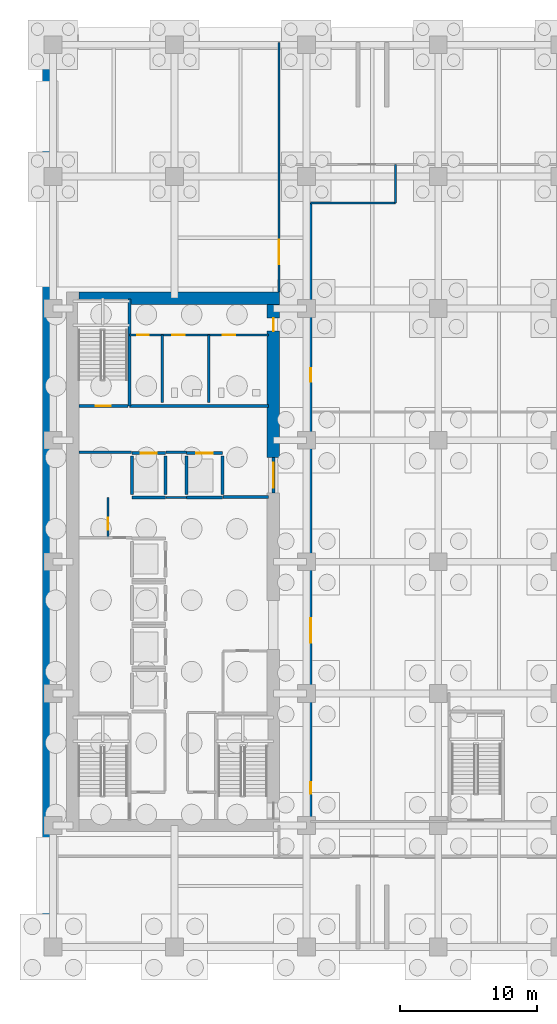
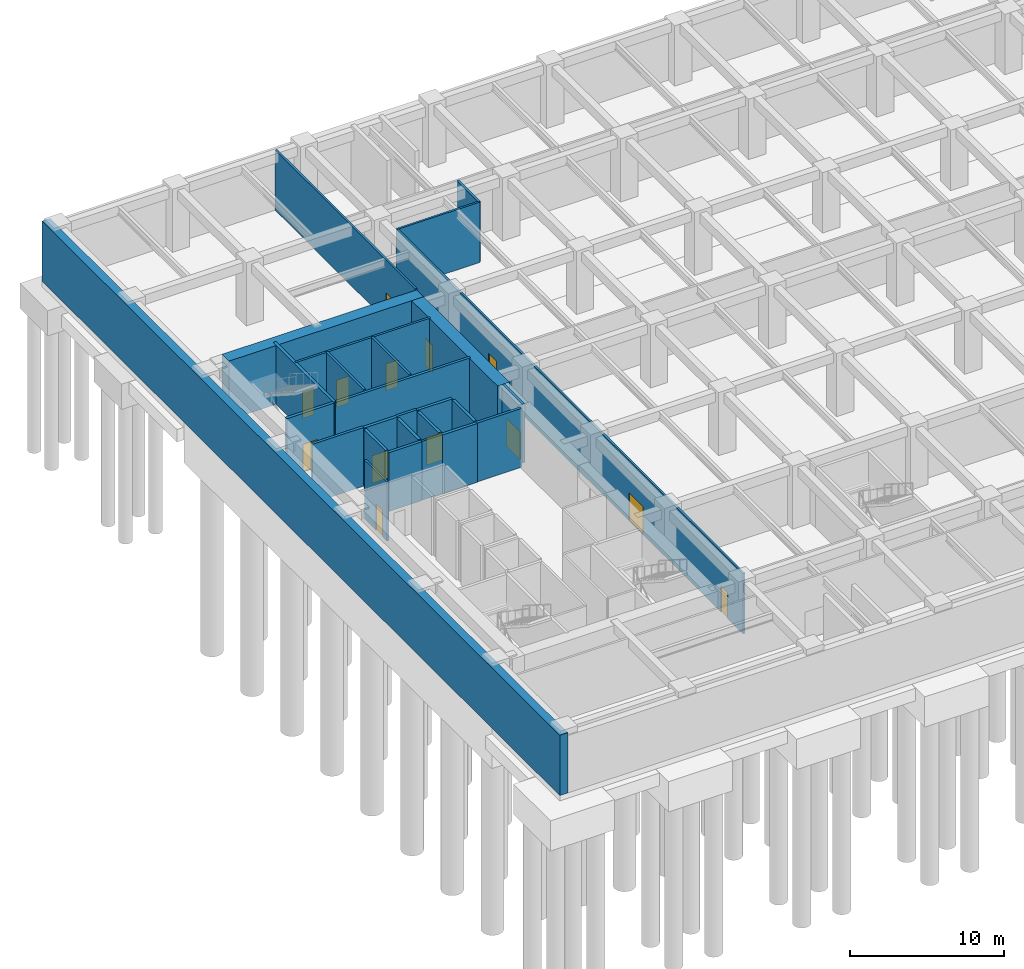
# One storey, part 11 of 20: 27 walls, 13 doors, 13 openings.
"""IFC4 building model written with IfcOpenShell, lengths in metres."""

from ifc_helpers import new_model, si_unit, direction, frame, frame_2d, origin, place, context, subcontext, project, spatial, rectangle, extrude, material, layer, layer_set, type_object, element, fill, save


model = new_model("IFC4")

# Units and contexts
model_context = context("Model", 3, precision=1e-05, world=origin(), true_north=direction((0.0, 1.0)))
body_context = subcontext(model_context, "Body", "Model", "MODEL_VIEW")
ifc_project = project(units=[si_unit("LENGTHUNIT", "METRE"), si_unit("AREAUNIT", "SQUARE_METRE"), si_unit("VOLUMEUNIT", "CUBIC_METRE"), si_unit("PLANEANGLEUNIT", "RADIAN"), si_unit("MASSUNIT", "GRAM", prefix="KILO")], contexts=[model_context])

# Site, building, storey
site_placement = place(None, origin())
site = spatial("IfcSite", under=ifc_project, at=site_placement, CompositionType="ELEMENT")
building_placement = place(site_placement, origin())
building = spatial("IfcBuilding", under=site, at=building_placement, Name="Norrvale University Quadrangle", CompositionType="ELEMENT")
storey_placement = place(building_placement, frame((0.0, 0.0, -5.0)))
storey = spatial("IfcBuildingStorey", under=building, at=storey_placement, Name="B01", CompositionType="ELEMENT", Elevation=-5.0)

# Wall
ifc_material_1 = material(Name="Concrete C80/95", Category="concrete")
ifc_layer_1 = layer(ifc_material_1, 0.89990234375, Name="Concrete C80/95")
ifc_layer_set_1 = layer_set([ifc_layer_1], Name="Concrete C80/95")
wall_type_1 = type_object("IfcWallType", Name="Wall Core 900", PredefinedType="SHEAR", material=ifc_layer_set_1)
wall_1_placement = place(storey_placement, frame((2.64990234375, 48.0, 0.0), z_axis=(0.0, 0.0, 1.0), x_axis=(1.0, 0.0, 0.0)))
element("IfcWall", 1, at=wall_1_placement, inside=storey, type_object=wall_type_1, Name="Tower Core Shear Wall B01-N", PredefinedType="SHEAR", context=body_context, shape_type="SweptSolid", body=[
    extrude(rectangle(XDim=14.60009765625, YDim=0.89990234375, at=frame_2d((7.300048828125, 0.0))), origin(), (0.0, 0.0, 1.0), 4.659912109375),
])

# Wall, opening, door
wall_2_placement = place(storey_placement, frame((16.800048828125, 36.39990234375, 0.0), z_axis=(0.0, 0.0, 1.0), x_axis=(0.0, 1.0, 0.0)))
wall_2 = element("IfcWall", 2, at=wall_2_placement, inside=storey, type_object=wall_type_1, Name="Tower Core Shear Wall B01-E3", PredefinedType="SHEAR", context=body_context, shape_type="SweptSolid", body=[
    extrude(rectangle(XDim=11.150146484375, YDim=0.89990234375, at=frame_2d((5.5751953125, 0.0))), origin(), (0.0, 0.0, 1.0), 4.659912109375),
])
opening_1_placement = place(wall_2_placement, frame((9.199951171875, 0.0, 0.0)))
opening_1 = element("IfcOpeningElement", 3, at=opening_1_placement, cuts=wall_2, Name="Opening D07", PredefinedType="OPENING", context=body_context, shape_type="SweptSolid", body=[
    extrude(rectangle(XDim=0.949951171875, YDim=2.14990234375, at=frame_2d((0.47509765625, 1.074951171875))), frame((0.0, 0.4619140625, 0.0), z_axis=(0.0, -1.0, 0.0), x_axis=(1.0, 0.0, 0.0)), (0.0, 0.0, 1.0), 0.923828125),
])
ifc_material_2 = material(Name="Solid-Core Maple Door", Category="wood")
door_type_1 = type_object("IfcDoorType", Name="Door Office 950x2150", OperationType="NOTDEFINED", PredefinedType="DOOR", material=ifc_material_2)
door_1_placement = place(opening_1_placement, origin())
door_1 = element("IfcDoor", 4, at=door_1_placement, inside=storey, type_object=door_type_1, Name="Door Office 950x2150 DR-B01-NECORR", OperationType="SINGLE_SWING_RIGHT", OverallHeight=2.14990234375, OverallWidth=0.949951171875, PredefinedType="DOOR", context=body_context, shape_type="SweptSolid", body=[
    extrude(rectangle(XDim=0.949951171875, YDim=2.14990234375, at=frame_2d((0.47509765625, 1.074951171875))), frame((0.0, 0.02490234375, 0.0), z_axis=(0.0, -1.0, 0.0), x_axis=(1.0, 0.0, 0.0)), (0.0, 0.0, 1.0), 0.050048828125),
])
fill(opening_1, door_1)

# Wall
ifc_material_3 = material(Name="Fire-Rated Gypsum Stud Partition")
ifc_layer_2 = layer(ifc_material_3, 0.14990234375, Name="Fire-Rated Gypsum Stud Partition")
ifc_layer_set_2 = layer_set([ifc_layer_2], Name="Fire-Rated Gypsum Stud Partition")
wall_type_2 = type_object("IfcWallType", Name="Wall Gypsum Corridor 150", PredefinedType="PARTITIONING", material=ifc_layer_set_2)
wall_3_placement = place(storey_placement, frame((8.965087890625, 33.489990234375, 0.0), z_axis=(0.0, 0.0, 1.0), x_axis=(1.0, 0.0, 0.0)))
element("IfcWall", 5, at=wall_3_placement, inside=storey, type_object=wall_type_2, Name="Interior Partition WL-B01-LL3", PredefinedType="PARTITIONING", context=body_context, shape_type="SweptSolid", body=[
    extrude(rectangle(XDim=1.52001953125, YDim=0.14990234375, at=frame_2d((0.760009765625, 0.0))), origin(), (0.0, 0.0, 1.0), 4.659912109375),
])

# Wall, opening, door
wall_4_placement = place(storey_placement, frame((4.760009765625, 30.550048828125, 0.0), z_axis=(0.0, 0.0, 1.0), x_axis=(0.0, 1.0, 0.0)))
wall_4 = element("IfcWall", 6, at=wall_4_placement, inside=storey, type_object=wall_type_2, Name="Interior Partition WL-B01-WME-E", PredefinedType="PARTITIONING", context=body_context, shape_type="SweptSolid", body=[
    extrude(rectangle(XDim=2.929931640625, YDim=0.14990234375, at=frame_2d((1.46484375, 0.0))), origin(), (0.0, 0.0, 1.0), 4.659912109375),
])
opening_2_placement = place(wall_4_placement, frame((0.60009765625, 0.0, 0.0)))
opening_2 = element("IfcOpeningElement", 7, at=opening_2_placement, cuts=wall_4, Name="Opening D10", PredefinedType="OPENING", context=body_context, shape_type="SweptSolid", body=[
    extrude(rectangle(XDim=0.85009765625, YDim=2.10009765625, at=frame_2d((0.425048828125, 1.050048828125))), frame((0.0, 0.0869140625, 0.0), z_axis=(0.0, -1.0, 0.0), x_axis=(1.0, 0.0, 0.0)), (0.0, 0.0, 1.0), 0.173828125),
])
ifc_material_4 = material(Name="Hollow Steel 350W Riser Fire Door", Category="steel")
door_type_2 = type_object("IfcDoorType", Name="Door Riser 850x2100", OperationType="NOTDEFINED", PredefinedType="DOOR", material=ifc_material_4)
door_2_placement = place(opening_2_placement, origin())
door_2 = element("IfcDoor", 8, at=door_2_placement, inside=storey, type_object=door_type_2, Name="Door Riser 850x2100 DR-B01-WME", OperationType="SINGLE_SWING_LEFT", OverallHeight=2.10009765625, OverallWidth=0.85009765625, PredefinedType="DOOR", context=body_context, shape_type="SweptSolid", body=[
    extrude(rectangle(XDim=0.85009765625, YDim=2.10009765625, at=frame_2d((0.425048828125, 1.050048828125))), frame((0.0, 0.02490234375, 0.0), z_axis=(0.0, -1.0, 0.0), x_axis=(1.0, 0.0, 0.0)), (0.0, 0.0, 1.0), 0.050048828125),
])
fill(opening_2, door_2)

# Walls
wall_5_placement = place(storey_placement, frame((19.52001953125, 54.919921875, 0.0), z_axis=(0.0, 0.0, 1.0), x_axis=(1.0, 0.0, 0.0)))
element("IfcWall", 9, at=wall_5_placement, inside=storey, type_object=wall_type_2, Name="Interior Partition WL-B01-BK-NW1", PredefinedType="PARTITIONING", context=body_context, shape_type="SweptSolid", body=[
    extrude(rectangle(XDim=6.159912109375, YDim=0.14990234375, at=frame_2d((3.080078125, 0.0))), origin(), (0.0, 0.0, 1.0), 4.780029296875),
])
wall_6_placement = place(storey_placement, frame((25.679931640625, 54.919921875, 0.0), z_axis=(0.0, 0.0, 1.0), x_axis=(0.0, 1.0, 0.0)))
element("IfcWall", 10, at=wall_6_placement, inside=storey, type_object=wall_type_2, Name="Interior Partition WL-B01-BK-NW2", PredefinedType="PARTITIONING", context=body_context, shape_type="SweptSolid", body=[
    extrude(rectangle(XDim=2.800048828125, YDim=0.14990234375, at=frame_2d((1.39990234375, 0.0))), origin(), (0.0, 0.0, 1.0), 4.780029296875),
])

# Wall, openings, doors
wall_7_placement = place(storey_placement, frame((19.52001953125, 9.89990234375, 0.0), z_axis=(0.0, 0.0, 1.0), x_axis=(0.0, 1.0, 0.0)))
wall_7 = element("IfcWall", 11, at=wall_7_placement, inside=storey, type_object=wall_type_2, Name="Interior Partition WL-B01-TE-W", PredefinedType="PARTITIONING", context=body_context, shape_type="SweptSolid", body=[
    extrude(rectangle(XDim=45.02001953125, YDim=0.14990234375, at=frame_2d((22.510009765625, 0.0))), origin(), (0.0, 0.0, 1.0), 4.780029296875),
])
opening_3_placement = place(wall_7_placement, frame((2.0, 0.0, 0.0)))
opening_3 = element("IfcOpeningElement", 12, at=opening_3_placement, cuts=wall_7, Name="Opening D10", PredefinedType="OPENING", context=body_context, shape_type="SweptSolid", body=[
    extrude(rectangle(XDim=0.85009765625, YDim=2.10009765625, at=frame_2d((0.425048828125, 1.050048828125))), frame((0.0, 0.0869140625, 0.0), z_axis=(0.0, -1.0, 0.0), x_axis=(1.0, 0.0, 0.0)), (0.0, 0.0, 1.0), 0.173828125),
])
opening_4_placement = place(wall_7_placement, frame((13.0, 0.0, 0.0)))
opening_4 = element("IfcOpeningElement", 13, at=opening_4_placement, cuts=wall_7, Name="Opening D03", PredefinedType="OPENING", context=body_context, shape_type="SweptSolid", body=[
    extrude(rectangle(XDim=1.800048828125, YDim=2.199951171875, at=frame_2d((0.89990234375, 1.10009765625))), frame((0.0, 0.0869140625, 0.0), z_axis=(0.0, -1.0, 0.0), x_axis=(1.0, 0.0, 0.0)), (0.0, 0.0, 1.0), 0.173828125),
])
opening_5_placement = place(wall_7_placement, frame((32.0, 0.0, 0.0)))
opening_5 = element("IfcOpeningElement", 14, at=opening_5_placement, cuts=wall_7, Name="Opening D04", PredefinedType="OPENING", context=body_context, shape_type="SweptSolid", body=[
    extrude(rectangle(XDim=1.0, YDim=2.199951171875, at=frame_2d((0.5, 1.10009765625))), frame((0.0, 0.0869140625, 0.0), z_axis=(0.0, -1.0, 0.0), x_axis=(1.0, 0.0, 0.0)), (0.0, 0.0, 1.0), 0.173828125),
])
ifc_material_5 = material(Name="Solid-Core Oak Fire Door", Category="wood")
door_type_3 = type_object("IfcDoorType", Name="Door Corridor 1000x2200", OperationType="NOTDEFINED", PredefinedType="DOOR", material=ifc_material_5)
door_3_placement = place(opening_5_placement, origin())
door_3 = element("IfcDoor", 15, at=door_3_placement, inside=storey, type_object=door_type_3, Name="Door Corridor 1000x2200 DR-B01-BIKE", OperationType="SINGLE_SWING_LEFT", OverallHeight=2.199951171875, OverallWidth=1.0, PredefinedType="DOOR", context=body_context, shape_type="SweptSolid", body=[
    extrude(rectangle(XDim=1.0, YDim=2.199951171875, at=frame_2d((0.5, 1.10009765625))), frame((0.0, 0.02490234375, 0.0), z_axis=(0.0, -1.0, 0.0), x_axis=(1.0, 0.0, 0.0)), (0.0, 0.0, 1.0), 0.050048828125),
])
fill(opening_5, door_3)
ifc_material_6 = material(Name="Hollow Steel 350W Fire Door", Category="steel")
door_type_4 = type_object("IfcDoorType", Name="Door Fire Lobby 1800x2200", OperationType="DOUBLE_DOOR_SINGLE_SWING", PredefinedType="DOOR", material=ifc_material_6)
door_4_placement = place(opening_4_placement, origin())
door_4 = element("IfcDoor", 16, at=door_4_placement, inside=storey, type_object=door_type_4, Name="Door Fire Lobby 1800x2200 DR-B01-PARK", OperationType="DOUBLE_DOOR_SINGLE_SWING", OverallHeight=2.199951171875, OverallWidth=1.800048828125, PredefinedType="DOOR", context=body_context, shape_type="SweptSolid", body=[
    extrude(rectangle(XDim=1.800048828125, YDim=2.199951171875, at=frame_2d((0.89990234375, 1.10009765625))), frame((0.0, 0.02490234375, 0.0), z_axis=(0.0, -1.0, 0.0), x_axis=(1.0, 0.0, 0.0)), (0.0, 0.0, 1.0), 0.050048828125),
])
fill(opening_4, door_4)
door_5_placement = place(opening_3_placement, origin())
door_5 = element("IfcDoor", 17, at=door_5_placement, inside=storey, type_object=door_type_2, Name="Door Riser 850x2100 DR-B01-ARCH", OperationType="SINGLE_SWING_LEFT", OverallHeight=2.10009765625, OverallWidth=0.85009765625, PredefinedType="DOOR", context=body_context, shape_type="SweptSolid", body=[
    extrude(rectangle(XDim=0.85009765625, YDim=2.10009765625, at=frame_2d((0.425048828125, 1.050048828125))), frame((0.0, 0.02490234375, 0.0), z_axis=(0.0, -1.0, 0.0), x_axis=(1.0, 0.0, 0.0)), (0.0, 0.0, 1.0), 0.050048828125),
])
fill(opening_3, door_5)

# Wall, opening, door
wall_8_placement = place(storey_placement, frame((17.199951171875, 48.449951171875, 0.0), z_axis=(0.0, 0.0, 1.0), x_axis=(0.0, 1.0, 0.0)))
wall_8 = element("IfcWall", 18, at=wall_8_placement, inside=storey, type_object=wall_type_2, Name="Interior Partition WL-B01-NP-E", PredefinedType="PARTITIONING", context=body_context, shape_type="SweptSolid", body=[
    extrude(rectangle(XDim=18.150146484375, YDim=0.14990234375, at=frame_2d((9.0751953125, 0.0))), origin(), (0.0, 0.0, 1.0), 4.780029296875),
])
opening_6_placement = place(wall_8_placement, frame((2.0, 0.0, 0.0)))
opening_6 = element("IfcOpeningElement", 19, at=opening_6_placement, cuts=wall_8, Name="Opening D03", PredefinedType="OPENING", context=body_context, shape_type="SweptSolid", body=[
    extrude(rectangle(XDim=1.800048828125, YDim=2.199951171875, at=frame_2d((0.89990234375, 1.10009765625))), frame((0.0, 0.0869140625, 0.0), z_axis=(0.0, -1.0, 0.0), x_axis=(1.0, 0.0, 0.0)), (0.0, 0.0, 1.0), 0.173828125),
])
door_6_placement = place(opening_6_placement, origin())
door_6 = element("IfcDoor", 20, at=door_6_placement, inside=storey, type_object=door_type_4, Name="Door Fire Lobby 1800x2200 DR-B01-NPMP", OperationType="DOUBLE_DOOR_SINGLE_SWING", OverallHeight=2.199951171875, OverallWidth=1.800048828125, PredefinedType="DOOR", context=body_context, shape_type="SweptSolid", body=[
    extrude(rectangle(XDim=1.800048828125, YDim=2.199951171875, at=frame_2d((0.89990234375, 1.10009765625))), frame((0.0, 0.02490234375, 0.0), z_axis=(0.0, -1.0, 0.0), x_axis=(1.0, 0.0, 0.0)), (0.0, 0.0, 1.0), 0.050048828125),
])
fill(opening_6, door_6)

# Wall, openings, doors
ifc_material_7 = material(Name="Sanitary Chase Gypsum Partition")
ifc_layer_3 = layer(ifc_material_7, 0.1650390625, Name="Sanitary Chase Gypsum Partition")
ifc_layer_set_3 = layer_set([ifc_layer_3], Name="Sanitary Chase Gypsum Partition")
wall_type_3 = type_object("IfcWallType", Name="Wall Gypsum Sanitary 165", PredefinedType="PLUMBINGWALL", material=ifc_layer_set_3)
wall_9_placement = place(storey_placement, frame((6.320068359375, 45.320068359375, 0.0), z_axis=(0.0, 0.0, 1.0), x_axis=(1.0, 0.0, 0.0)))
wall_9 = element("IfcWall", 21, at=wall_9_placement, inside=storey, type_object=wall_type_3, Name="Interior Partition WL-B01-WCN", PredefinedType="PLUMBINGWALL", context=body_context, shape_type="SweptSolid", body=[
    extrude(rectangle(XDim=10.1298828125, YDim=0.1650390625, at=frame_2d((5.06494140625, 0.0))), origin(), (0.0, 0.0, 1.0), 4.659912109375),
])
opening_7_placement = place(wall_9_placement, frame((0.550048828125, 0.0, 0.0)))
opening_7 = element("IfcOpeningElement", 22, at=opening_7_placement, cuts=wall_9, Name="Opening D10", PredefinedType="OPENING", context=body_context, shape_type="SweptSolid", body=[
    extrude(rectangle(XDim=0.85009765625, YDim=2.10009765625, at=frame_2d((0.425048828125, 1.050048828125))), frame((0.0, 0.094482421875, 0.0), z_axis=(0.0, -1.0, 0.0), x_axis=(1.0, 0.0, 0.0)), (0.0, 0.0, 1.0), 0.18896484375),
])
opening_8_placement = place(wall_9_placement, frame((3.10009765625, 0.0, 0.0)))
opening_8 = element("IfcOpeningElement", 23, at=opening_8_placement, cuts=wall_9, Name="Opening D08", PredefinedType="OPENING", context=body_context, shape_type="SweptSolid", body=[
    extrude(rectangle(XDim=0.919921875, YDim=2.14990234375, at=frame_2d((0.4599609375, 1.074951171875))), frame((0.0, 0.094482421875, 0.0), z_axis=(0.0, -1.0, 0.0), x_axis=(1.0, 0.0, 0.0)), (0.0, 0.0, 1.0), 0.18896484375),
])
opening_9_placement = place(wall_9_placement, frame((6.800048828125, 0.0, 0.0)))
opening_9 = element("IfcOpeningElement", 24, at=opening_9_placement, cuts=wall_9, Name="Opening D08", PredefinedType="OPENING", context=body_context, shape_type="SweptSolid", body=[
    extrude(rectangle(XDim=0.919921875, YDim=2.14990234375, at=frame_2d((0.4599609375, 1.074951171875))), frame((0.0, 0.094482421875, 0.0), z_axis=(0.0, -1.0, 0.0), x_axis=(1.0, 0.0, 0.0)), (0.0, 0.0, 1.0), 0.18896484375),
])
door_7_placement = place(opening_7_placement, origin())
door_7 = element("IfcDoor", 25, at=door_7_placement, inside=storey, type_object=door_type_2, Name="Door Riser 850x2100 DR-B01-WC1", OperationType="SINGLE_SWING_LEFT", OverallHeight=2.10009765625, OverallWidth=0.85009765625, PredefinedType="DOOR", context=body_context, shape_type="SweptSolid", body=[
    extrude(rectangle(XDim=0.85009765625, YDim=2.10009765625, at=frame_2d((0.425048828125, 1.050048828125))), frame((0.0, 0.02490234375, 0.0), z_axis=(0.0, -1.0, 0.0), x_axis=(1.0, 0.0, 0.0)), (0.0, 0.0, 1.0), 0.050048828125),
])
fill(opening_7, door_7)
ifc_material_8 = material(Name="Laminate Washroom Door", Category="wood")
door_type_5 = type_object("IfcDoorType", Name="Door Washroom 920x2150", OperationType="NOTDEFINED", PredefinedType="DOOR", material=ifc_material_8)
door_8_placement = place(opening_8_placement, origin())
door_8 = element("IfcDoor", 26, at=door_8_placement, inside=storey, type_object=door_type_5, Name="Door Washroom 920x2150 DR-B01-WC2", OperationType="SINGLE_SWING_RIGHT", OverallHeight=2.14990234375, OverallWidth=0.919921875, PredefinedType="DOOR", context=body_context, shape_type="SweptSolid", body=[
    extrude(rectangle(XDim=0.919921875, YDim=2.14990234375, at=frame_2d((0.4599609375, 1.074951171875))), frame((0.0, 0.02490234375, 0.0), z_axis=(0.0, -1.0, 0.0), x_axis=(1.0, 0.0, 0.0)), (0.0, 0.0, 1.0), 0.050048828125),
])
fill(opening_8, door_8)
door_9_placement = place(opening_9_placement, origin())
door_9 = element("IfcDoor", 27, at=door_9_placement, inside=storey, type_object=door_type_5, Name="Door Washroom 920x2150 DR-B01-WC3", OperationType="SINGLE_SWING_LEFT", OverallHeight=2.14990234375, OverallWidth=0.919921875, PredefinedType="DOOR", context=body_context, shape_type="SweptSolid", body=[
    extrude(rectangle(XDim=0.919921875, YDim=2.14990234375, at=frame_2d((0.4599609375, 1.074951171875))), frame((0.0, 0.02490234375, 0.0), z_axis=(0.0, -1.0, 0.0), x_axis=(1.0, 0.0, 0.0)), (0.0, 0.0, 1.0), 0.050048828125),
])
fill(opening_9, door_9)

# Walls
for number, where, z_axis, x_axis, name in (
    (28, (8.699951171875, 40.39990234375, 0.0), (0.0, 0.0, 1.0), (0.0, 1.0, 0.0), "Interior Partition WL-B01-WCM1"),
    (29, (12.10009765625, 40.39990234375, 0.0), (0.0, 0.0, 1.0), (0.0, 1.0, 0.0), "Interior Partition WL-B01-WCM2"),
):
    element("IfcWall", number, at=place(storey_placement, frame(where, z_axis=z_axis, x_axis=x_axis)), inside=storey, type_object=wall_type_3, Name=name, PredefinedType="PLUMBINGWALL", context=body_context, shape_type="SweptSolid", body=[
        extrude(rectangle(XDim=4.920166015625, YDim=0.1650390625, at=frame_2d((2.4599609375, 0.0))), origin(), (0.0, 0.0, 1.0), 4.659912109375),
    ])
ifc_material_9 = material(Name="Concrete Blockwork 20 MPa Rated Wall", Category="masonry")
ifc_layer_4 = layer(ifc_material_9, 0.199951171875, Name="Concrete Blockwork 20 MPa Rated Wall")
ifc_layer_set_4 = layer_set([ifc_layer_4], Name="Concrete Blockwork 20 MPa Rated Wall")
wall_type_4 = type_object("IfcWallType", Name="Wall Lobby 200", PredefinedType="SOLIDWALL", material=ifc_layer_set_4)
wall_10_placement = place(storey_placement, frame((2.64990234375, 36.780029296875, 0.0), z_axis=(0.0, 0.0, 1.0), x_axis=(1.0, 0.0, 0.0)))
element("IfcWall", 30, at=wall_10_placement, inside=storey, type_object=wall_type_4, Name="Interior Partition WL-B01-FF1", PredefinedType="SOLIDWALL", context=body_context, shape_type="SweptSolid", body=[
    extrude(rectangle(XDim=3.830078125, YDim=0.199951171875, at=frame_2d((1.9150390625, 0.0))), origin(), (0.0, 0.0, 1.0), 4.659912109375),
])
wall_11_placement = place(storey_placement, frame((8.969970703125, 36.780029296875, 0.0), z_axis=(0.0, 0.0, 1.0), x_axis=(1.0, 0.0, 0.0)))
element("IfcWall", 31, at=wall_11_placement, inside=storey, type_object=wall_type_4, Name="Interior Partition WL-B01-FF2", PredefinedType="SOLIDWALL", context=body_context, shape_type="SweptSolid", body=[
    extrude(rectangle(XDim=1.510009765625, YDim=0.199951171875, at=frame_2d((0.7548828125, 0.0))), origin(), (0.0, 0.0, 1.0), 4.659912109375),
])
wall_12_placement = place(storey_placement, frame((13.1201171875, 33.52001953125, 0.0), z_axis=(0.0, 0.0, 1.0), x_axis=(1.0, 0.0, 0.0)))
element("IfcWall", 32, at=wall_12_placement, inside=storey, type_object=wall_type_4, Name="Interior Partition WL-B01-FF3", PredefinedType="SOLIDWALL", context=body_context, shape_type="SweptSolid", body=[
    extrude(rectangle(XDim=3.329833984375, YDim=0.199951171875, at=frame_2d((1.6650390625, 0.0))), origin(), (0.0, 0.0, 1.0), 4.659912109375),
])
wall_13_placement = place(storey_placement, frame((6.320068359375, 40.139892578125, 0.0), z_axis=(0.0, 0.0, 1.0), x_axis=(1.0, 0.0, 0.0)))
element("IfcWall", 33, at=wall_13_placement, inside=storey, type_object=wall_type_4, Name="Interior Partition WL-B01-FF4", PredefinedType="SOLIDWALL", context=body_context, shape_type="SweptSolid", body=[
    extrude(rectangle(XDim=10.1298828125, YDim=0.199951171875, at=frame_2d((5.06494140625, 0.0))), origin(), (0.0, 0.0, 1.0), 4.659912109375),
])

# Wall, opening, door
wall_14_placement = place(storey_placement, frame((16.800048828125, 33.800048828125, 0.0), z_axis=(0.0, 0.0, 1.0), x_axis=(0.0, 1.0, 0.0)))
wall_14 = element("IfcWall", 34, at=wall_14_placement, inside=storey, type_object=wall_type_4, Name="Interior Partition WL-B01-FFP", PredefinedType="SOLIDWALL", context=body_context, shape_type="SweptSolid", body=[
    extrude(rectangle(XDim=2.599853515625, YDim=0.199951171875, at=frame_2d((1.2998046875, 0.0))), origin(), (0.0, 0.0, 1.0), 4.659912109375),
])
opening_10_placement = place(wall_14_placement, frame((0.39990234375, 0.0, 0.0)))
opening_10 = element("IfcOpeningElement", 35, at=opening_10_placement, cuts=wall_14, Name="Opening D03", PredefinedType="OPENING", context=body_context, shape_type="SweptSolid", body=[
    extrude(rectangle(XDim=1.800048828125, YDim=2.199951171875, at=frame_2d((0.89990234375, 1.10009765625))), frame((0.0, 0.112060546875, 0.0), z_axis=(0.0, -1.0, 0.0), x_axis=(1.0, 0.0, 0.0)), (0.0, 0.0, 1.0), 0.223876953125),
])
door_10_placement = place(opening_10_placement, origin())
door_10 = element("IfcDoor", 36, at=door_10_placement, inside=storey, type_object=door_type_4, Name="Door Fire Lobby 1800x2200 DR-B01-FFP", OperationType="DOUBLE_DOOR_SINGLE_SWING", OverallHeight=2.199951171875, OverallWidth=1.800048828125, PredefinedType="DOOR", context=body_context, shape_type="SweptSolid", body=[
    extrude(rectangle(XDim=1.800048828125, YDim=2.199951171875, at=frame_2d((0.89990234375, 1.10009765625))), frame((0.0, 0.02490234375, 0.0), z_axis=(0.0, -1.0, 0.0), x_axis=(1.0, 0.0, 0.0)), (0.0, 0.0, 1.0), 0.050048828125),
])
fill(opening_10, door_10)

# Wall
ifc_material_10 = material(Name="Concrete C50/60", Category="concrete")
ifc_layer_5 = layer(ifc_material_10, 0.60009765625, Name="Concrete C50/60")
ifc_layer_set_5 = layer_set([ifc_layer_5], Name="Concrete C50/60")
wall_type_5 = type_object("IfcWallType", Name="Wall Retaining 600", PredefinedType="USERDEFINED", material=ifc_layer_set_5)
wall_15_placement = place(storey_placement, frame((0.300048828125, 67.199951171875, 0.0), z_axis=(0.0, 0.0, 1.0), x_axis=(0.0, -1.0, 0.0)))
element("IfcWall", 37, at=wall_15_placement, inside=storey, type_object=wall_type_5, Name="Basement Retaining Wall T-W", ObjectType="RETAININGWALL", PredefinedType="USERDEFINED", context=body_context, shape_type="SweptSolid", body=[
    extrude(rectangle(XDim=67.199951171875, YDim=0.60009765625, at=frame_2d((33.60009765625, 0.0))), origin(), (0.0, 0.0, 1.0), 4.780029296875),
])

# Wall, opening, door
ifc_material_11 = material(Name="Concrete Blockwork 20 MPa Fire Shaft", Category="masonry")
ifc_layer_6 = layer(ifc_material_11, 0.219970703125, Name="Concrete Blockwork 20 MPa Fire Shaft")
ifc_layer_set_6 = layer_set([ifc_layer_6], Name="Concrete Blockwork 20 MPa Fire Shaft")
wall_type_6 = type_object("IfcWallType", Name="Wall Shaft 220", PredefinedType="SOLIDWALL", material=ifc_layer_set_6)
wall_16_placement = place(storey_placement, frame((2.64990234375, 40.139892578125, 0.0), z_axis=(0.0, 0.0, 1.0), x_axis=(1.0, 0.0, 0.0)))
wall_16 = element("IfcWall", 38, at=wall_16_placement, inside=storey, type_object=wall_type_6, Name="Stair ST-02 South Shaft Wall B01", PredefinedType="SOLIDWALL", context=body_context, shape_type="SweptSolid", body=[
    extrude(rectangle(XDim=3.550048828125, YDim=0.219970703125, at=frame_2d((1.77490234375, 0.0))), origin(), (0.0, 0.0, 1.0), 4.659912109375),
])
opening_11_placement = place(wall_16_placement, frame((1.199951171875, 0.0, 0.0)))
opening_11 = element("IfcOpeningElement", 39, at=opening_11_placement, cuts=wall_16, Name="Opening D02", PredefinedType="OPENING", context=body_context, shape_type="SweptSolid", body=[
    extrude(rectangle(XDim=1.10009765625, YDim=2.199951171875, at=frame_2d((0.550048828125, 1.10009765625))), frame((0.0, 0.1220703125, 0.0), z_axis=(0.0, -1.0, 0.0), x_axis=(1.0, 0.0, 0.0)), (0.0, 0.0, 1.0), 0.243896484375),
])
door_type_6 = type_object("IfcDoorType", Name="Door Stair Exit 1100x2200", OperationType="NOTDEFINED", PredefinedType="DOOR", material=ifc_material_6)
door_11_placement = place(opening_11_placement, origin())
door_11 = element("IfcDoor", 40, at=door_11_placement, inside=storey, type_object=door_type_6, Name="Door Stair Exit 1100x2200 DR-B01-ST02", OperationType="SINGLE_SWING_LEFT", OverallHeight=2.199951171875, OverallWidth=1.10009765625, PredefinedType="DOOR", context=body_context, shape_type="SweptSolid", body=[
    extrude(rectangle(XDim=1.10009765625, YDim=2.199951171875, at=frame_2d((0.550048828125, 1.10009765625))), frame((0.0, 0.02490234375, 0.0), z_axis=(0.0, -1.0, 0.0), x_axis=(1.0, 0.0, 0.0)), (0.0, 0.0, 1.0), 0.050048828125),
])
fill(opening_11, door_11)

# Walls
wall_17_placement = place(storey_placement, frame((6.31005859375, 40.139892578125, 0.0), z_axis=(0.0, 0.0, 1.0), x_axis=(0.0, 1.0, 0.0)))
element("IfcWall", 41, at=wall_17_placement, inside=storey, type_object=wall_type_6, Name="Stair ST-02 East Shaft Wall B01", PredefinedType="SOLIDWALL", context=body_context, shape_type="SweptSolid", body=[
    extrude(rectangle(XDim=7.81005859375, YDim=0.219970703125, at=frame_2d((3.905029296875, 0.0))), origin(), (0.0, 0.0, 1.0), 4.659912109375),
])
for number, where, z_axis, x_axis, name in (
    (42, (6.489990234375, 33.7099609375, 0.0), (0.0, 0.0, 1.0), (0.0, 1.0, 0.0), "Hoistway FFL-01 West Wall B01"),
    (43, (8.9599609375, 33.7099609375, 0.0), (0.0, 0.0, 1.0), (0.0, 1.0, 0.0), "Hoistway FFL-01 East Wall B01"),
):
    element("IfcWall", number, at=place(storey_placement, frame(where, z_axis=z_axis, x_axis=x_axis)), inside=storey, type_object=wall_type_6, Name=name, PredefinedType="SOLIDWALL", context=body_context, shape_type="SweptSolid", body=[
        extrude(rectangle(XDim=2.780029296875, YDim=0.219970703125, at=frame_2d((1.39013671875, 0.0))), origin(), (0.0, 0.0, 1.0), 4.659912109375),
    ])
wall_18_placement = place(storey_placement, frame((6.489990234375, 33.489990234375, 0.0), z_axis=(0.0, 0.0, 1.0), x_axis=(1.0, 0.0, 0.0)))
element("IfcWall", 44, at=wall_18_placement, inside=storey, type_object=wall_type_6, Name="Hoistway FFL-01 South Wall B01", PredefinedType="SOLIDWALL", context=body_context, shape_type="SweptSolid", body=[
    extrude(rectangle(XDim=2.469970703125, YDim=0.219970703125, at=frame_2d((1.23486328125, 0.0))), origin(), (0.0, 0.0, 1.0), 4.659912109375),
])

# Wall, opening, door
wall_19_placement = place(storey_placement, frame((6.489990234375, 36.7099609375, 0.0), z_axis=(0.0, 0.0, 1.0), x_axis=(1.0, 0.0, 0.0)))
wall_19 = element("IfcWall", 45, at=wall_19_placement, inside=storey, type_object=wall_type_6, Name="Hoistway FFL-01 North Wall B01", PredefinedType="SOLIDWALL", context=body_context, shape_type="SweptSolid", body=[
    extrude(rectangle(XDim=2.469970703125, YDim=0.219970703125, at=frame_2d((1.23486328125, 0.0))), origin(), (0.0, 0.0, 1.0), 4.659912109375),
])
opening_12_placement = place(wall_19_placement, frame((0.635009765625, 0.0, 0.0)))
opening_12 = element("IfcOpeningElement", 46, at=opening_12_placement, cuts=wall_19, Name="Opening LD2", PredefinedType="OPENING", context=body_context, shape_type="SweptSolid", body=[
    extrude(rectangle(XDim=1.199951171875, YDim=2.199951171875, at=frame_2d((0.60009765625, 1.10009765625))), frame((0.0, 0.1220703125, 0.0), z_axis=(0.0, -1.0, 0.0), x_axis=(1.0, 0.0, 0.0)), (0.0, 0.0, 1.0), 0.243896484375),
])
ifc_material_12 = material(Name="Stainless Steel 316L Firefighter Lift Door", Category="steel")
door_type_7 = type_object("IfcDoorType", Name="Door Fire Lift 1200x2200", OperationType="DOUBLE_DOOR_SLIDING", PredefinedType="DOOR", material=ifc_material_12)
door_12_placement = place(opening_12_placement, origin())
door_12 = element("IfcDoor", 47, at=door_12_placement, inside=storey, type_object=door_type_7, Name="Elevator Landing Door DR-B01-FFL-01", OperationType="DOUBLE_DOOR_SLIDING", OverallHeight=2.199951171875, OverallWidth=1.199951171875, PredefinedType="DOOR", context=body_context, shape_type="SweptSolid", body=[
    extrude(rectangle(XDim=1.199951171875, YDim=2.199951171875, at=frame_2d((0.60009765625, 1.10009765625))), frame((0.0, 0.02490234375, 0.0), z_axis=(0.0, -1.0, 0.0), x_axis=(1.0, 0.0, 0.0)), (0.0, 0.0, 1.0), 0.050048828125),
])
fill(opening_12, door_12)

# Walls
for number, where, z_axis, x_axis, name in (
    (48, (10.489990234375, 33.7099609375, 0.0), (0.0, 0.0, 1.0), (0.0, 1.0, 0.0), "Hoistway FFL-02 West Wall B01"),
    (49, (13.110107421875, 33.7099609375, 0.0), (0.0, 0.0, 1.0), (0.0, 1.0, 0.0), "Hoistway FFL-02 East Wall B01"),
):
    element("IfcWall", number, at=place(storey_placement, frame(where, z_axis=z_axis, x_axis=x_axis)), inside=storey, type_object=wall_type_6, Name=name, PredefinedType="SOLIDWALL", context=body_context, shape_type="SweptSolid", body=[
        extrude(rectangle(XDim=2.780029296875, YDim=0.219970703125, at=frame_2d((1.39013671875, 0.0))), origin(), (0.0, 0.0, 1.0), 4.659912109375),
    ])
wall_20_placement = place(storey_placement, frame((10.489990234375, 33.489990234375, 0.0), z_axis=(0.0, 0.0, 1.0), x_axis=(1.0, 0.0, 0.0)))
element("IfcWall", 50, at=wall_20_placement, inside=storey, type_object=wall_type_6, Name="Hoistway FFL-02 South Wall B01", PredefinedType="SOLIDWALL", context=body_context, shape_type="SweptSolid", body=[
    extrude(rectangle(XDim=2.6201171875, YDim=0.219970703125, at=frame_2d((1.31005859375, 0.0))), origin(), (0.0, 0.0, 1.0), 4.659912109375),
])

# Wall, opening, door
wall_21_placement = place(storey_placement, frame((10.489990234375, 36.7099609375, 0.0), z_axis=(0.0, 0.0, 1.0), x_axis=(1.0, 0.0, 0.0)))
wall_21 = element("IfcWall", 51, at=wall_21_placement, inside=storey, type_object=wall_type_6, Name="Hoistway FFL-02 North Wall B01", PredefinedType="SOLIDWALL", context=body_context, shape_type="SweptSolid", body=[
    extrude(rectangle(XDim=2.6201171875, YDim=0.219970703125, at=frame_2d((1.31005859375, 0.0))), origin(), (0.0, 0.0, 1.0), 4.659912109375),
])
opening_13_placement = place(wall_21_placement, frame((0.7099609375, 0.0, 0.0)))
opening_13 = element("IfcOpeningElement", 52, at=opening_13_placement, cuts=wall_21, Name="Opening LD2", PredefinedType="OPENING", context=body_context, shape_type="SweptSolid", body=[
    extrude(rectangle(XDim=1.199951171875, YDim=2.199951171875, at=frame_2d((0.60009765625, 1.10009765625))), frame((0.0, 0.1220703125, 0.0), z_axis=(0.0, -1.0, 0.0), x_axis=(1.0, 0.0, 0.0)), (0.0, 0.0, 1.0), 0.243896484375),
])
door_13_placement = place(opening_13_placement, origin())
door_13 = element("IfcDoor", 53, at=door_13_placement, inside=storey, type_object=door_type_7, Name="Elevator Landing Door DR-B01-FFL-02", OperationType="DOUBLE_DOOR_SLIDING", OverallHeight=2.199951171875, OverallWidth=1.199951171875, PredefinedType="DOOR", context=body_context, shape_type="SweptSolid", body=[
    extrude(rectangle(XDim=1.199951171875, YDim=2.199951171875, at=frame_2d((0.60009765625, 1.10009765625))), frame((0.0, 0.02490234375, 0.0), z_axis=(0.0, -1.0, 0.0), x_axis=(1.0, 0.0, 0.0)), (0.0, 0.0, 1.0), 0.050048828125),
])
fill(opening_13, door_13)

save(model, "model.ifc")
